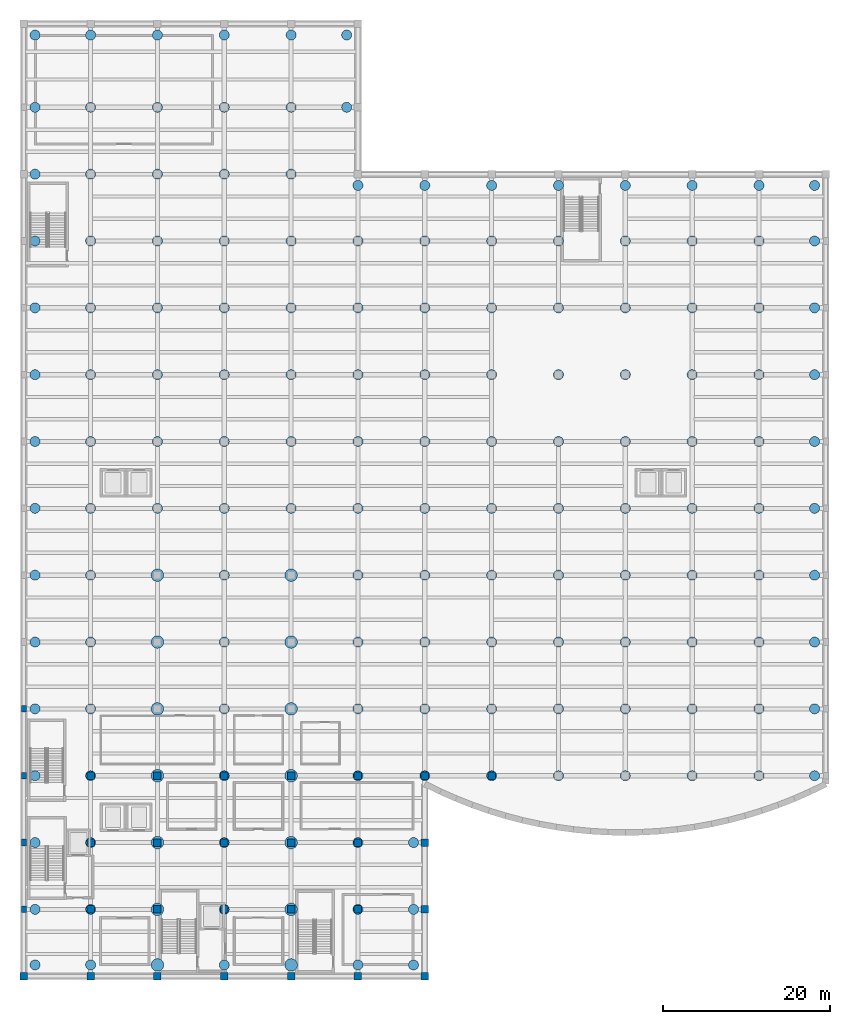
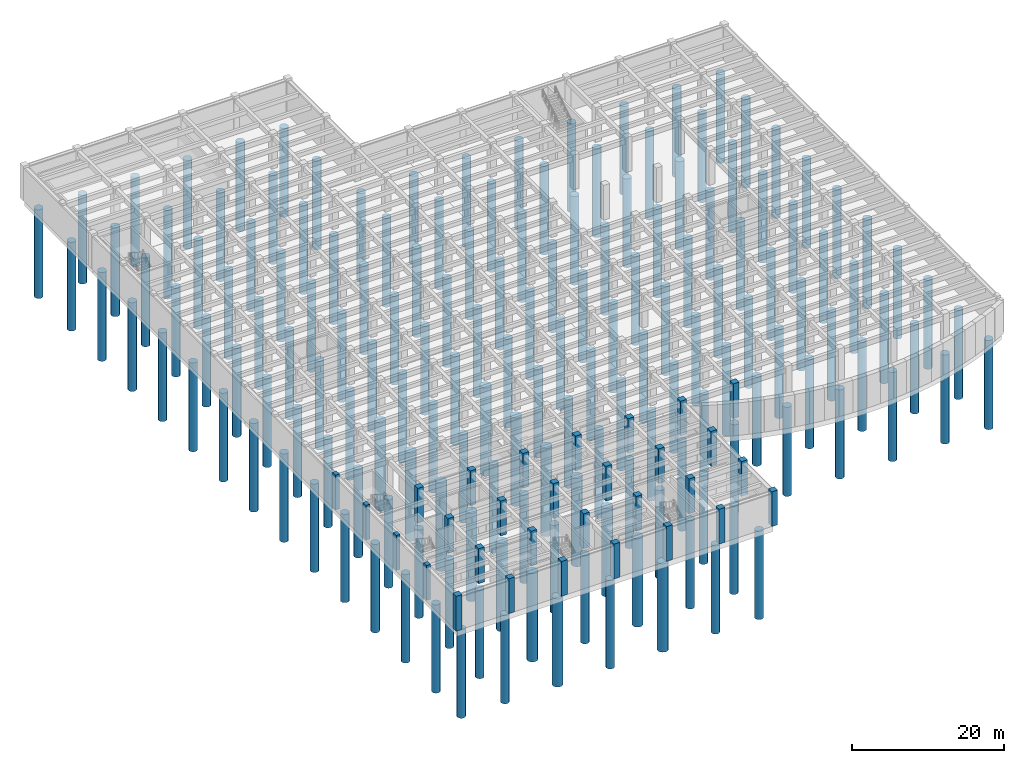
# One storey, part 1 of 18: 163 piles, 30 columns.
"""IFC4 building model written with IfcOpenShell, lengths in metres."""

from ifc_helpers import new_model, si_unit, direction, frame, origin, origin_2d, place, context, subcontext, project, spatial, rectangle, circle, extrude, material, material_profile, profile_set, type_object, element, save


model = new_model("IFC4")

# Units and contexts
model_context = context("Model", 3, precision=1e-05, world=origin(), true_north=direction((0.0, 1.0)))
body_context = subcontext(model_context, "Body", "Model", "MODEL_VIEW")
ifc_project = project(units=[si_unit("LENGTHUNIT", "METRE"), si_unit("AREAUNIT", "SQUARE_METRE"), si_unit("VOLUMEUNIT", "CUBIC_METRE"), si_unit("PLANEANGLEUNIT", "RADIAN"), si_unit("MASSUNIT", "GRAM", prefix="KILO")], contexts=[model_context])

# Site, building, storey
site_placement = place(None, origin())
site = spatial("IfcSite", under=ifc_project, at=site_placement, CompositionType="ELEMENT")
building_placement = place(site_placement, origin())
building = spatial("IfcBuilding", under=site, at=building_placement, Name="Drelvath Fold Interchange", CompositionType="ELEMENT")
storey_placement = place(building_placement, frame((0.0, 0.0, -11.199951171875)))
storey = spatial("IfcBuildingStorey", under=building, at=storey_placement, Name="B2", CompositionType="ELEMENT", Elevation=-11.199951171875)

# Piles
ifc_material = material(Name="Concrete f'c 55 MPa (8000 psi)", Category="concrete")
ifc_material_profile_1 = material_profile(ifc_material, circle(Radius=0.60009765625, at=origin_2d()), Name="CAISSON D1200")
ifc_profile_set_1 = profile_set([ifc_material_profile_1], Name="Concrete f'c 55 MPa (8000 psi)")
pile_type_1 = type_object("IfcPileType", Name="CA-D1200", PredefinedType="BORED", material=ifc_profile_set_1)
for number, where, z_axis, x_axis, name in (
    (1, (5.35009765625, 4.35009765625, -1.10009765625), (0.0, 0.0, -1.0), (1.0, 0.0, 0.0), "B2 rock-socketed caisson PL-B2-001"),
    (2, (5.35009765625, 11.0, -1.10009765625), (0.0, 0.0, -1.0), (1.0, 0.0, 0.0), "B2 rock-socketed caisson PL-B2-002"),
    (3, (5.35009765625, 19.0, -1.10009765625), (0.0, 0.0, -1.0), (1.0, 0.0, 0.0), "B2 rock-socketed caisson PL-B2-003"),
    (4, (5.35009765625, 27.0, -1.10009765625), (0.0, 0.0, -1.0), (1.0, 0.0, 0.0), "B2 rock-socketed caisson PL-B2-004"),
    (5, (5.35009765625, 35.0, -1.10009765625), (0.0, 0.0, -1.0), (1.0, 0.0, 0.0), "B2 rock-socketed caisson PL-B2-005"),
    (6, (5.35009765625, 43.0, -1.10009765625), (0.0, 0.0, -1.0), (1.0, 0.0, 0.0), "B2 rock-socketed caisson PL-B2-006"),
    (7, (5.35009765625, 51.0, -1.10009765625), (0.0, 0.0, -1.0), (1.0, 0.0, 0.0), "B2 rock-socketed caisson PL-B2-007"),
):
    element("IfcPile", number, at=place(storey_placement, frame(where, z_axis=z_axis, x_axis=x_axis)), inside=storey, type_object=pile_type_1, Name=name, PredefinedType="BORED", context=body_context, shape_type="SweptSolid", body=[
        extrude(circle(Radius=0.60009765625, at=origin_2d()), origin(), (0.0, 0.0, 1.0), 14.199951171875),
    ])
for number, where, z_axis, x_axis, name in (
    (8, (5.35009765625, 59.0, -1.0400390625), (0.0, 0.0, -1.0), (1.0, 0.0, 0.0), "B2 rock-socketed caisson PL-B2-008"),
    (9, (5.35009765625, 67.0, -1.0400390625), (0.0, 0.0, -1.0), (1.0, 0.0, 0.0), "B2 rock-socketed caisson PL-B2-009"),
    (10, (5.35009765625, 75.0, -1.0400390625), (0.0, 0.0, -1.0), (1.0, 0.0, 0.0), "B2 rock-socketed caisson PL-B2-010"),
    (11, (5.35009765625, 83.0, -1.0400390625), (0.0, 0.0, -1.0), (1.0, 0.0, 0.0), "B2 rock-socketed caisson PL-B2-011"),
    (12, (5.35009765625, 91.0, -1.0400390625), (0.0, 0.0, -1.0), (1.0, 0.0, 0.0), "B2 rock-socketed caisson PL-B2-012"),
    (13, (5.35009765625, 99.0, -1.0400390625), (0.0, 0.0, -1.0), (1.0, 0.0, 0.0), "B2 rock-socketed caisson PL-B2-013"),
    (14, (5.35009765625, 107.0, -1.0400390625), (0.0, 0.0, -1.0), (1.0, 0.0, 0.0), "B2 rock-socketed caisson PL-B2-014"),
    (15, (5.35009765625, 115.64990234375, -1.0400390625), (0.0, 0.0, -1.0), (1.0, 0.0, 0.0), "B2 rock-socketed caisson PL-B2-015"),
):
    element("IfcPile", number, at=place(storey_placement, frame(where, z_axis=z_axis, x_axis=x_axis)), inside=storey, type_object=pile_type_1, Name=name, PredefinedType="BORED", context=body_context, shape_type="SweptSolid", body=[
        extrude(circle(Radius=0.60009765625, at=origin_2d()), origin(), (0.0, 0.0, 1.0), 14.260009765625),
    ])
for number, where, z_axis, x_axis, name in (
    (16, (12.0, 4.35009765625, -1.10009765625), (0.0, 0.0, -1.0), (1.0, 0.0, 0.0), "B2 rock-socketed caisson PL-B2-016"),
    (17, (12.0, 11.0, -1.10009765625), (0.0, 0.0, -1.0), (1.0, 0.0, 0.0), "B2 rock-socketed caisson PL-B2-017"),
    (18, (12.0, 19.0, -1.10009765625), (0.0, 0.0, -1.0), (1.0, 0.0, 0.0), "B2 rock-socketed caisson PL-B2-018"),
    (19, (12.0, 27.0, -1.10009765625), (0.0, 0.0, -1.0), (1.0, 0.0, 0.0), "B2 rock-socketed caisson PL-B2-019"),
    (20, (12.0, 35.0, -1.10009765625), (0.0, 0.0, -1.0), (1.0, 0.0, 0.0), "B2 rock-socketed caisson PL-B2-020"),
    (21, (12.0, 43.0, -1.10009765625), (0.0, 0.0, -1.0), (1.0, 0.0, 0.0), "B2 rock-socketed caisson PL-B2-021"),
    (22, (12.0, 51.0, -1.10009765625), (0.0, 0.0, -1.0), (1.0, 0.0, 0.0), "B2 rock-socketed caisson PL-B2-022"),
):
    element("IfcPile", number, at=place(storey_placement, frame(where, z_axis=z_axis, x_axis=x_axis)), inside=storey, type_object=pile_type_1, Name=name, PredefinedType="BORED", context=body_context, shape_type="SweptSolid", body=[
        extrude(circle(Radius=0.60009765625, at=origin_2d()), origin(), (0.0, 0.0, 1.0), 14.199951171875),
    ])
for number, where, z_axis, x_axis, name in (
    (23, (12.0, 59.0, -1.0400390625), (0.0, 0.0, -1.0), (1.0, 0.0, 0.0), "B2 rock-socketed caisson PL-B2-023"),
    (24, (12.0, 67.0, -1.0400390625), (0.0, 0.0, -1.0), (1.0, 0.0, 0.0), "B2 rock-socketed caisson PL-B2-024"),
    (25, (12.0, 75.0, -1.0400390625), (0.0, 0.0, -1.0), (1.0, 0.0, 0.0), "B2 rock-socketed caisson PL-B2-025"),
    (26, (12.0, 83.0, -1.0400390625), (0.0, 0.0, -1.0), (1.0, 0.0, 0.0), "B2 rock-socketed caisson PL-B2-026"),
    (27, (12.0, 91.0, -1.0400390625), (0.0, 0.0, -1.0), (1.0, 0.0, 0.0), "B2 rock-socketed caisson PL-B2-027"),
    (28, (12.0, 99.0, -1.0400390625), (0.0, 0.0, -1.0), (1.0, 0.0, 0.0), "B2 rock-socketed caisson PL-B2-028"),
    (29, (12.0, 107.0, -1.0400390625), (0.0, 0.0, -1.0), (1.0, 0.0, 0.0), "B2 rock-socketed caisson PL-B2-029"),
    (30, (12.0, 115.64990234375, -1.0400390625), (0.0, 0.0, -1.0), (1.0, 0.0, 0.0), "B2 rock-socketed caisson PL-B2-030"),
    (31, (20.0, 59.0, -1.0400390625), (0.0, 0.0, -1.0), (1.0, 0.0, 0.0), "B2 rock-socketed caisson PL-B2-038"),
    (32, (20.0, 67.0, -1.0400390625), (0.0, 0.0, -1.0), (1.0, 0.0, 0.0), "B2 rock-socketed caisson PL-B2-039"),
    (33, (20.0, 75.0, -1.0400390625), (0.0, 0.0, -1.0), (1.0, 0.0, 0.0), "B2 rock-socketed caisson PL-B2-040"),
    (34, (20.0, 83.0, -1.0400390625), (0.0, 0.0, -1.0), (1.0, 0.0, 0.0), "B2 rock-socketed caisson PL-B2-041"),
    (35, (20.0, 91.0, -1.0400390625), (0.0, 0.0, -1.0), (1.0, 0.0, 0.0), "B2 rock-socketed caisson PL-B2-042"),
    (36, (20.0, 99.0, -1.0400390625), (0.0, 0.0, -1.0), (1.0, 0.0, 0.0), "B2 rock-socketed caisson PL-B2-043"),
    (37, (20.0, 107.0, -1.0400390625), (0.0, 0.0, -1.0), (1.0, 0.0, 0.0), "B2 rock-socketed caisson PL-B2-044"),
    (38, (20.0, 115.64990234375, -1.0400390625), (0.0, 0.0, -1.0), (1.0, 0.0, 0.0), "B2 rock-socketed caisson PL-B2-045"),
):
    element("IfcPile", number, at=place(storey_placement, frame(where, z_axis=z_axis, x_axis=x_axis)), inside=storey, type_object=pile_type_1, Name=name, PredefinedType="BORED", context=body_context, shape_type="SweptSolid", body=[
        extrude(circle(Radius=0.60009765625, at=origin_2d()), origin(), (0.0, 0.0, 1.0), 14.260009765625),
    ])
for number, where, z_axis, x_axis, name in (
    (39, (28.0, 4.35009765625, -1.10009765625), (0.0, 0.0, -1.0), (1.0, 0.0, 0.0), "B2 rock-socketed caisson PL-B2-046"),
    (40, (28.0, 11.0, -1.10009765625), (0.0, 0.0, -1.0), (1.0, 0.0, 0.0), "B2 rock-socketed caisson PL-B2-047"),
    (41, (28.0, 19.0, -1.10009765625), (0.0, 0.0, -1.0), (1.0, 0.0, 0.0), "B2 rock-socketed caisson PL-B2-048"),
    (42, (28.0, 27.0, -1.10009765625), (0.0, 0.0, -1.0), (1.0, 0.0, 0.0), "B2 rock-socketed caisson PL-B2-049"),
    (43, (28.0, 35.0, -1.10009765625), (0.0, 0.0, -1.0), (1.0, 0.0, 0.0), "B2 rock-socketed caisson PL-B2-050"),
    (44, (28.0, 43.0, -1.10009765625), (0.0, 0.0, -1.0), (1.0, 0.0, 0.0), "B2 rock-socketed caisson PL-B2-051"),
    (45, (28.0, 51.0, -1.10009765625), (0.0, 0.0, -1.0), (1.0, 0.0, 0.0), "B2 rock-socketed caisson PL-B2-052"),
):
    element("IfcPile", number, at=place(storey_placement, frame(where, z_axis=z_axis, x_axis=x_axis)), inside=storey, type_object=pile_type_1, Name=name, PredefinedType="BORED", context=body_context, shape_type="SweptSolid", body=[
        extrude(circle(Radius=0.60009765625, at=origin_2d()), origin(), (0.0, 0.0, 1.0), 14.199951171875),
    ])
for number, where, z_axis, x_axis, name in (
    (46, (28.0, 59.0, -1.0400390625), (0.0, 0.0, -1.0), (1.0, 0.0, 0.0), "B2 rock-socketed caisson PL-B2-053"),
    (47, (28.0, 67.0, -1.0400390625), (0.0, 0.0, -1.0), (1.0, 0.0, 0.0), "B2 rock-socketed caisson PL-B2-054"),
    (48, (28.0, 75.0, -1.0400390625), (0.0, 0.0, -1.0), (1.0, 0.0, 0.0), "B2 rock-socketed caisson PL-B2-055"),
    (49, (28.0, 83.0, -1.0400390625), (0.0, 0.0, -1.0), (1.0, 0.0, 0.0), "B2 rock-socketed caisson PL-B2-056"),
    (50, (28.0, 91.0, -1.0400390625), (0.0, 0.0, -1.0), (1.0, 0.0, 0.0), "B2 rock-socketed caisson PL-B2-057"),
    (51, (28.0, 99.0, -1.0400390625), (0.0, 0.0, -1.0), (1.0, 0.0, 0.0), "B2 rock-socketed caisson PL-B2-058"),
    (52, (28.0, 107.0, -1.0400390625), (0.0, 0.0, -1.0), (1.0, 0.0, 0.0), "B2 rock-socketed caisson PL-B2-059"),
    (53, (28.0, 115.64990234375, -1.0400390625), (0.0, 0.0, -1.0), (1.0, 0.0, 0.0), "B2 rock-socketed caisson PL-B2-060"),
    (54, (36.0, 59.0, -1.0400390625), (0.0, 0.0, -1.0), (1.0, 0.0, 0.0), "B2 rock-socketed caisson PL-B2-068"),
    (55, (36.0, 67.0, -1.0400390625), (0.0, 0.0, -1.0), (1.0, 0.0, 0.0), "B2 rock-socketed caisson PL-B2-069"),
    (56, (36.0, 75.0, -1.0400390625), (0.0, 0.0, -1.0), (1.0, 0.0, 0.0), "B2 rock-socketed caisson PL-B2-070"),
    (57, (36.0, 83.0, -1.0400390625), (0.0, 0.0, -1.0), (1.0, 0.0, 0.0), "B2 rock-socketed caisson PL-B2-071"),
    (58, (36.0, 91.0, -1.0400390625), (0.0, 0.0, -1.0), (1.0, 0.0, 0.0), "B2 rock-socketed caisson PL-B2-072"),
    (59, (36.0, 99.0, -1.0400390625), (0.0, 0.0, -1.0), (1.0, 0.0, 0.0), "B2 rock-socketed caisson PL-B2-073"),
    (60, (36.0, 107.0, -1.0400390625), (0.0, 0.0, -1.0), (1.0, 0.0, 0.0), "B2 rock-socketed caisson PL-B2-074"),
    (61, (36.0, 115.64990234375, -1.0400390625), (0.0, 0.0, -1.0), (1.0, 0.0, 0.0), "B2 rock-socketed caisson PL-B2-075"),
):
    element("IfcPile", number, at=place(storey_placement, frame(where, z_axis=z_axis, x_axis=x_axis)), inside=storey, type_object=pile_type_1, Name=name, PredefinedType="BORED", context=body_context, shape_type="SweptSolid", body=[
        extrude(circle(Radius=0.60009765625, at=origin_2d()), origin(), (0.0, 0.0, 1.0), 14.260009765625),
    ])
for number, where, z_axis, x_axis, name in (
    (62, (44.0, 4.35009765625, -1.10009765625), (0.0, 0.0, -1.0), (1.0, 0.0, 0.0), "B2 rock-socketed caisson PL-B2-076"),
    (63, (44.0, 11.0, -1.10009765625), (0.0, 0.0, -1.0), (1.0, 0.0, 0.0), "B2 rock-socketed caisson PL-B2-077"),
    (64, (44.0, 19.0, -1.10009765625), (0.0, 0.0, -1.0), (1.0, 0.0, 0.0), "B2 rock-socketed caisson PL-B2-078"),
    (65, (44.0, 27.0, -1.10009765625), (0.0, 0.0, -1.0), (1.0, 0.0, 0.0), "B2 rock-socketed caisson PL-B2-079"),
    (66, (44.0, 35.0, -1.10009765625), (0.0, 0.0, -1.0), (1.0, 0.0, 0.0), "B2 rock-socketed caisson PL-B2-080"),
    (67, (44.0, 43.0, -1.10009765625), (0.0, 0.0, -1.0), (1.0, 0.0, 0.0), "B2 rock-socketed caisson PL-B2-081"),
    (68, (44.0, 51.0, -1.10009765625), (0.0, 0.0, -1.0), (1.0, 0.0, 0.0), "B2 rock-socketed caisson PL-B2-082"),
):
    element("IfcPile", number, at=place(storey_placement, frame(where, z_axis=z_axis, x_axis=x_axis)), inside=storey, type_object=pile_type_1, Name=name, PredefinedType="BORED", context=body_context, shape_type="SweptSolid", body=[
        extrude(circle(Radius=0.60009765625, at=origin_2d()), origin(), (0.0, 0.0, 1.0), 14.199951171875),
    ])
for number, where, z_axis, x_axis, name in (
    (69, (44.0, 59.0, -1.0400390625), (0.0, 0.0, -1.0), (1.0, 0.0, 0.0), "B2 rock-socketed caisson PL-B2-083"),
    (70, (44.0, 67.0, -1.0400390625), (0.0, 0.0, -1.0), (1.0, 0.0, 0.0), "B2 rock-socketed caisson PL-B2-084"),
    (71, (44.0, 75.0, -1.0400390625), (0.0, 0.0, -1.0), (1.0, 0.0, 0.0), "B2 rock-socketed caisson PL-B2-085"),
    (72, (44.0, 83.0, -1.0400390625), (0.0, 0.0, -1.0), (1.0, 0.0, 0.0), "B2 rock-socketed caisson PL-B2-086"),
    (73, (44.0, 91.0, -1.0400390625), (0.0, 0.0, -1.0), (1.0, 0.0, 0.0), "B2 rock-socketed caisson PL-B2-087"),
    (74, (44.0, 97.64990234375, -1.0400390625), (0.0, 0.0, -1.0), (1.0, 0.0, 0.0), "B2 rock-socketed caisson PL-B2-088"),
    (75, (42.64990234375, 107.0, -1.0400390625), (0.0, 0.0, -1.0), (1.0, 0.0, 0.0), "B2 rock-socketed caisson PL-B2-089"),
    (76, (42.64990234375, 115.64990234375, -1.0400390625), (0.0, 0.0, -1.0), (1.0, 0.0, 0.0), "B2 rock-socketed caisson PL-B2-090"),
):
    element("IfcPile", number, at=place(storey_placement, frame(where, z_axis=z_axis, x_axis=x_axis)), inside=storey, type_object=pile_type_1, Name=name, PredefinedType="BORED", context=body_context, shape_type="SweptSolid", body=[
        extrude(circle(Radius=0.60009765625, at=origin_2d()), origin(), (0.0, 0.0, 1.0), 14.260009765625),
    ])
for number, where, z_axis, x_axis, name in (
    (77, (50.64990234375, 4.35009765625, -1.10009765625), (0.0, 0.0, -1.0), (1.0, 0.0, 0.0), "B2 rock-socketed caisson PL-B2-091"),
    (78, (50.64990234375, 11.0, -1.10009765625), (0.0, 0.0, -1.0), (1.0, 0.0, 0.0), "B2 rock-socketed caisson PL-B2-092"),
    (79, (50.64990234375, 19.0, -1.10009765625), (0.0, 0.0, -1.0), (1.0, 0.0, 0.0), "B2 rock-socketed caisson PL-B2-093"),
):
    element("IfcPile", number, at=place(storey_placement, frame(where, z_axis=z_axis, x_axis=x_axis)), inside=storey, type_object=pile_type_1, Name=name, PredefinedType="BORED", context=body_context, shape_type="SweptSolid", body=[
        extrude(circle(Radius=0.60009765625, at=origin_2d()), origin(), (0.0, 0.0, 1.0), 14.199951171875),
    ])
for number, where, z_axis, x_axis, name in (
    (80, (52.0, 27.0, -0.97998046875), (0.0, 0.0, -1.0), (1.0, 0.0, 0.0), "B2 rock-socketed caisson PL-B2-094"),
    (81, (52.0, 35.0, -0.97998046875), (0.0, 0.0, -1.0), (1.0, 0.0, 0.0), "B2 rock-socketed caisson PL-B2-095"),
    (82, (52.0, 43.0, -0.97998046875), (0.0, 0.0, -1.0), (1.0, 0.0, 0.0), "B2 rock-socketed caisson PL-B2-096"),
    (83, (52.0, 51.0, -0.97998046875), (0.0, 0.0, -1.0), (1.0, 0.0, 0.0), "B2 rock-socketed caisson PL-B2-097"),
    (84, (52.0, 59.0, -0.97998046875), (0.0, 0.0, -1.0), (1.0, 0.0, 0.0), "B2 rock-socketed caisson PL-B2-098"),
):
    element("IfcPile", number, at=place(storey_placement, frame(where, z_axis=z_axis, x_axis=x_axis)), inside=storey, type_object=pile_type_1, Name=name, PredefinedType="BORED", context=body_context, shape_type="SweptSolid", body=[
        extrude(circle(Radius=0.60009765625, at=origin_2d()), origin(), (0.0, 0.0, 1.0), 14.320068359375),
    ])
for number, where, z_axis, x_axis, name in (
    (85, (52.0, 67.0, -1.0400390625), (0.0, 0.0, -1.0), (1.0, 0.0, 0.0), "B2 rock-socketed caisson PL-B2-099"),
    (86, (52.0, 75.0, -1.0400390625), (0.0, 0.0, -1.0), (1.0, 0.0, 0.0), "B2 rock-socketed caisson PL-B2-100"),
    (87, (52.0, 83.0, -1.0400390625), (0.0, 0.0, -1.0), (1.0, 0.0, 0.0), "B2 rock-socketed caisson PL-B2-101"),
    (88, (52.0, 91.0, -1.0400390625), (0.0, 0.0, -1.0), (1.0, 0.0, 0.0), "B2 rock-socketed caisson PL-B2-102"),
    (89, (52.0, 97.64990234375, -1.0400390625), (0.0, 0.0, -1.0), (1.0, 0.0, 0.0), "B2 rock-socketed caisson PL-B2-103"),
):
    element("IfcPile", number, at=place(storey_placement, frame(where, z_axis=z_axis, x_axis=x_axis)), inside=storey, type_object=pile_type_1, Name=name, PredefinedType="BORED", context=body_context, shape_type="SweptSolid", body=[
        extrude(circle(Radius=0.60009765625, at=origin_2d()), origin(), (0.0, 0.0, 1.0), 14.260009765625),
    ])
for number, where, z_axis, x_axis, name in (
    (90, (60.0, 27.0, -0.97998046875), (0.0, 0.0, -1.0), (1.0, 0.0, 0.0), "B2 rock-socketed caisson PL-B2-104"),
    (91, (60.0, 35.0, -0.97998046875), (0.0, 0.0, -1.0), (1.0, 0.0, 0.0), "B2 rock-socketed caisson PL-B2-105"),
    (92, (60.0, 43.0, -0.97998046875), (0.0, 0.0, -1.0), (1.0, 0.0, 0.0), "B2 rock-socketed caisson PL-B2-106"),
    (93, (60.0, 51.0, -0.97998046875), (0.0, 0.0, -1.0), (1.0, 0.0, 0.0), "B2 rock-socketed caisson PL-B2-107"),
    (94, (60.0, 59.0, -0.97998046875), (0.0, 0.0, -1.0), (1.0, 0.0, 0.0), "B2 rock-socketed caisson PL-B2-108"),
):
    element("IfcPile", number, at=place(storey_placement, frame(where, z_axis=z_axis, x_axis=x_axis)), inside=storey, type_object=pile_type_1, Name=name, PredefinedType="BORED", context=body_context, shape_type="SweptSolid", body=[
        extrude(circle(Radius=0.60009765625, at=origin_2d()), origin(), (0.0, 0.0, 1.0), 14.320068359375),
    ])
for number, where, z_axis, x_axis, name in (
    (95, (60.0, 67.0, -1.0400390625), (0.0, 0.0, -1.0), (1.0, 0.0, 0.0), "B2 rock-socketed caisson PL-B2-109"),
    (96, (60.0, 75.0, -1.0400390625), (0.0, 0.0, -1.0), (1.0, 0.0, 0.0), "B2 rock-socketed caisson PL-B2-110"),
    (97, (60.0, 83.0, -1.0400390625), (0.0, 0.0, -1.0), (1.0, 0.0, 0.0), "B2 rock-socketed caisson PL-B2-111"),
    (98, (60.0, 91.0, -1.0400390625), (0.0, 0.0, -1.0), (1.0, 0.0, 0.0), "B2 rock-socketed caisson PL-B2-112"),
    (99, (60.0, 97.64990234375, -1.0400390625), (0.0, 0.0, -1.0), (1.0, 0.0, 0.0), "B2 rock-socketed caisson PL-B2-113"),
):
    element("IfcPile", number, at=place(storey_placement, frame(where, z_axis=z_axis, x_axis=x_axis)), inside=storey, type_object=pile_type_1, Name=name, PredefinedType="BORED", context=body_context, shape_type="SweptSolid", body=[
        extrude(circle(Radius=0.60009765625, at=origin_2d()), origin(), (0.0, 0.0, 1.0), 14.260009765625),
    ])
for number, where, z_axis, x_axis, name in (
    (100, (68.0, 27.0, -0.97998046875), (0.0, 0.0, -1.0), (1.0, 0.0, 0.0), "B2 rock-socketed caisson PL-B2-114"),
    (101, (68.0, 35.0, -0.97998046875), (0.0, 0.0, -1.0), (1.0, 0.0, 0.0), "B2 rock-socketed caisson PL-B2-115"),
    (102, (68.0, 43.0, -0.97998046875), (0.0, 0.0, -1.0), (1.0, 0.0, 0.0), "B2 rock-socketed caisson PL-B2-116"),
    (103, (68.0, 51.0, -0.97998046875), (0.0, 0.0, -1.0), (1.0, 0.0, 0.0), "B2 rock-socketed caisson PL-B2-117"),
    (104, (68.0, 59.0, -0.97998046875), (0.0, 0.0, -1.0), (1.0, 0.0, 0.0), "B2 rock-socketed caisson PL-B2-118"),
):
    element("IfcPile", number, at=place(storey_placement, frame(where, z_axis=z_axis, x_axis=x_axis)), inside=storey, type_object=pile_type_1, Name=name, PredefinedType="BORED", context=body_context, shape_type="SweptSolid", body=[
        extrude(circle(Radius=0.60009765625, at=origin_2d()), origin(), (0.0, 0.0, 1.0), 14.320068359375),
    ])
for number, where, z_axis, x_axis, name in (
    (105, (68.0, 67.0, -1.0400390625), (0.0, 0.0, -1.0), (1.0, 0.0, 0.0), "B2 rock-socketed caisson PL-B2-119"),
    (106, (68.0, 75.0, -1.0400390625), (0.0, 0.0, -1.0), (1.0, 0.0, 0.0), "B2 rock-socketed caisson PL-B2-120"),
    (107, (68.0, 83.0, -1.0400390625), (0.0, 0.0, -1.0), (1.0, 0.0, 0.0), "B2 rock-socketed caisson PL-B2-121"),
    (108, (68.0, 91.0, -1.0400390625), (0.0, 0.0, -1.0), (1.0, 0.0, 0.0), "B2 rock-socketed caisson PL-B2-122"),
    (109, (68.0, 97.64990234375, -1.0400390625), (0.0, 0.0, -1.0), (1.0, 0.0, 0.0), "B2 rock-socketed caisson PL-B2-123"),
):
    element("IfcPile", number, at=place(storey_placement, frame(where, z_axis=z_axis, x_axis=x_axis)), inside=storey, type_object=pile_type_1, Name=name, PredefinedType="BORED", context=body_context, shape_type="SweptSolid", body=[
        extrude(circle(Radius=0.60009765625, at=origin_2d()), origin(), (0.0, 0.0, 1.0), 14.260009765625),
    ])
for number, where, z_axis, x_axis, name in (
    (110, (76.0, 27.0, -0.97998046875), (0.0, 0.0, -1.0), (1.0, 0.0, 0.0), "B2 rock-socketed caisson PL-B2-124"),
    (111, (76.0, 35.0, -0.97998046875), (0.0, 0.0, -1.0), (1.0, 0.0, 0.0), "B2 rock-socketed caisson PL-B2-125"),
    (112, (76.0, 43.0, -0.97998046875), (0.0, 0.0, -1.0), (1.0, 0.0, 0.0), "B2 rock-socketed caisson PL-B2-126"),
    (113, (76.0, 51.0, -0.97998046875), (0.0, 0.0, -1.0), (1.0, 0.0, 0.0), "B2 rock-socketed caisson PL-B2-127"),
    (114, (76.0, 59.0, -0.97998046875), (0.0, 0.0, -1.0), (1.0, 0.0, 0.0), "B2 rock-socketed caisson PL-B2-128"),
):
    element("IfcPile", number, at=place(storey_placement, frame(where, z_axis=z_axis, x_axis=x_axis)), inside=storey, type_object=pile_type_1, Name=name, PredefinedType="BORED", context=body_context, shape_type="SweptSolid", body=[
        extrude(circle(Radius=0.60009765625, at=origin_2d()), origin(), (0.0, 0.0, 1.0), 14.320068359375),
    ])
for number, where, z_axis, x_axis, name in (
    (115, (76.0, 67.0, -1.0400390625), (0.0, 0.0, -1.0), (1.0, 0.0, 0.0), "B2 rock-socketed caisson PL-B2-129"),
    (116, (76.0, 75.0, -1.0400390625), (0.0, 0.0, -1.0), (1.0, 0.0, 0.0), "B2 rock-socketed caisson PL-B2-130"),
    (117, (76.0, 83.0, -1.0400390625), (0.0, 0.0, -1.0), (1.0, 0.0, 0.0), "B2 rock-socketed caisson PL-B2-131"),
    (118, (76.0, 91.0, -1.0400390625), (0.0, 0.0, -1.0), (1.0, 0.0, 0.0), "B2 rock-socketed caisson PL-B2-132"),
    (119, (76.0, 97.64990234375, -1.0400390625), (0.0, 0.0, -1.0), (1.0, 0.0, 0.0), "B2 rock-socketed caisson PL-B2-133"),
):
    element("IfcPile", number, at=place(storey_placement, frame(where, z_axis=z_axis, x_axis=x_axis)), inside=storey, type_object=pile_type_1, Name=name, PredefinedType="BORED", context=body_context, shape_type="SweptSolid", body=[
        extrude(circle(Radius=0.60009765625, at=origin_2d()), origin(), (0.0, 0.0, 1.0), 14.260009765625),
    ])
for number, where, z_axis, x_axis, name in (
    (120, (84.0, 27.0, -0.97998046875), (0.0, 0.0, -1.0), (1.0, 0.0, 0.0), "B2 rock-socketed caisson PL-B2-134"),
    (121, (84.0, 35.0, -0.97998046875), (0.0, 0.0, -1.0), (1.0, 0.0, 0.0), "B2 rock-socketed caisson PL-B2-135"),
    (122, (84.0, 43.0, -0.97998046875), (0.0, 0.0, -1.0), (1.0, 0.0, 0.0), "B2 rock-socketed caisson PL-B2-136"),
    (123, (84.0, 51.0, -0.97998046875), (0.0, 0.0, -1.0), (1.0, 0.0, 0.0), "B2 rock-socketed caisson PL-B2-137"),
    (124, (84.0, 59.0, -0.97998046875), (0.0, 0.0, -1.0), (1.0, 0.0, 0.0), "B2 rock-socketed caisson PL-B2-138"),
):
    element("IfcPile", number, at=place(storey_placement, frame(where, z_axis=z_axis, x_axis=x_axis)), inside=storey, type_object=pile_type_1, Name=name, PredefinedType="BORED", context=body_context, shape_type="SweptSolid", body=[
        extrude(circle(Radius=0.60009765625, at=origin_2d()), origin(), (0.0, 0.0, 1.0), 14.320068359375),
    ])
for number, where, z_axis, x_axis, name in (
    (125, (84.0, 67.0, -1.0400390625), (0.0, 0.0, -1.0), (1.0, 0.0, 0.0), "B2 rock-socketed caisson PL-B2-139"),
    (126, (84.0, 75.0, -1.0400390625), (0.0, 0.0, -1.0), (1.0, 0.0, 0.0), "B2 rock-socketed caisson PL-B2-140"),
    (127, (84.0, 83.0, -1.0400390625), (0.0, 0.0, -1.0), (1.0, 0.0, 0.0), "B2 rock-socketed caisson PL-B2-141"),
    (128, (84.0, 91.0, -1.0400390625), (0.0, 0.0, -1.0), (1.0, 0.0, 0.0), "B2 rock-socketed caisson PL-B2-142"),
    (129, (84.0, 97.64990234375, -1.0400390625), (0.0, 0.0, -1.0), (1.0, 0.0, 0.0), "B2 rock-socketed caisson PL-B2-143"),
):
    element("IfcPile", number, at=place(storey_placement, frame(where, z_axis=z_axis, x_axis=x_axis)), inside=storey, type_object=pile_type_1, Name=name, PredefinedType="BORED", context=body_context, shape_type="SweptSolid", body=[
        extrude(circle(Radius=0.60009765625, at=origin_2d()), origin(), (0.0, 0.0, 1.0), 14.260009765625),
    ])
for number, where, z_axis, x_axis, name in (
    (130, (92.0, 27.0, -0.97998046875), (0.0, 0.0, -1.0), (1.0, 0.0, 0.0), "B2 rock-socketed caisson PL-B2-144"),
    (131, (92.0, 35.0, -0.97998046875), (0.0, 0.0, -1.0), (1.0, 0.0, 0.0), "B2 rock-socketed caisson PL-B2-145"),
    (132, (92.0, 43.0, -0.97998046875), (0.0, 0.0, -1.0), (1.0, 0.0, 0.0), "B2 rock-socketed caisson PL-B2-146"),
    (133, (92.0, 51.0, -0.97998046875), (0.0, 0.0, -1.0), (1.0, 0.0, 0.0), "B2 rock-socketed caisson PL-B2-147"),
    (134, (92.0, 59.0, -0.97998046875), (0.0, 0.0, -1.0), (1.0, 0.0, 0.0), "B2 rock-socketed caisson PL-B2-148"),
):
    element("IfcPile", number, at=place(storey_placement, frame(where, z_axis=z_axis, x_axis=x_axis)), inside=storey, type_object=pile_type_1, Name=name, PredefinedType="BORED", context=body_context, shape_type="SweptSolid", body=[
        extrude(circle(Radius=0.60009765625, at=origin_2d()), origin(), (0.0, 0.0, 1.0), 14.320068359375),
    ])
for number, where, z_axis, x_axis, name in (
    (135, (92.0, 67.0, -1.0400390625), (0.0, 0.0, -1.0), (1.0, 0.0, 0.0), "B2 rock-socketed caisson PL-B2-149"),
    (136, (92.0, 75.0, -1.0400390625), (0.0, 0.0, -1.0), (1.0, 0.0, 0.0), "B2 rock-socketed caisson PL-B2-150"),
    (137, (92.0, 83.0, -1.0400390625), (0.0, 0.0, -1.0), (1.0, 0.0, 0.0), "B2 rock-socketed caisson PL-B2-151"),
    (138, (92.0, 91.0, -1.0400390625), (0.0, 0.0, -1.0), (1.0, 0.0, 0.0), "B2 rock-socketed caisson PL-B2-152"),
    (139, (92.0, 97.64990234375, -1.0400390625), (0.0, 0.0, -1.0), (1.0, 0.0, 0.0), "B2 rock-socketed caisson PL-B2-153"),
):
    element("IfcPile", number, at=place(storey_placement, frame(where, z_axis=z_axis, x_axis=x_axis)), inside=storey, type_object=pile_type_1, Name=name, PredefinedType="BORED", context=body_context, shape_type="SweptSolid", body=[
        extrude(circle(Radius=0.60009765625, at=origin_2d()), origin(), (0.0, 0.0, 1.0), 14.260009765625),
    ])
for number, where, z_axis, x_axis, name in (
    (140, (98.64990234375, 27.0, -0.97998046875), (0.0, 0.0, -1.0), (1.0, 0.0, 0.0), "B2 rock-socketed caisson PL-B2-154"),
    (141, (98.64990234375, 35.0, -0.97998046875), (0.0, 0.0, -1.0), (1.0, 0.0, 0.0), "B2 rock-socketed caisson PL-B2-155"),
    (142, (98.64990234375, 43.0, -0.97998046875), (0.0, 0.0, -1.0), (1.0, 0.0, 0.0), "B2 rock-socketed caisson PL-B2-156"),
    (143, (98.64990234375, 51.0, -0.97998046875), (0.0, 0.0, -1.0), (1.0, 0.0, 0.0), "B2 rock-socketed caisson PL-B2-157"),
    (144, (98.64990234375, 59.0, -0.97998046875), (0.0, 0.0, -1.0), (1.0, 0.0, 0.0), "B2 rock-socketed caisson PL-B2-158"),
):
    element("IfcPile", number, at=place(storey_placement, frame(where, z_axis=z_axis, x_axis=x_axis)), inside=storey, type_object=pile_type_1, Name=name, PredefinedType="BORED", context=body_context, shape_type="SweptSolid", body=[
        extrude(circle(Radius=0.60009765625, at=origin_2d()), origin(), (0.0, 0.0, 1.0), 14.320068359375),
    ])
for number, where, z_axis, x_axis, name in (
    (145, (98.64990234375, 67.0, -1.0400390625), (0.0, 0.0, -1.0), (1.0, 0.0, 0.0), "B2 rock-socketed caisson PL-B2-159"),
    (146, (98.64990234375, 75.0, -1.0400390625), (0.0, 0.0, -1.0), (1.0, 0.0, 0.0), "B2 rock-socketed caisson PL-B2-160"),
    (147, (98.64990234375, 83.0, -1.0400390625), (0.0, 0.0, -1.0), (1.0, 0.0, 0.0), "B2 rock-socketed caisson PL-B2-161"),
    (148, (98.64990234375, 91.0, -1.0400390625), (0.0, 0.0, -1.0), (1.0, 0.0, 0.0), "B2 rock-socketed caisson PL-B2-162"),
    (149, (98.64990234375, 97.64990234375, -1.0400390625), (0.0, 0.0, -1.0), (1.0, 0.0, 0.0), "B2 rock-socketed caisson PL-B2-163"),
):
    element("IfcPile", number, at=place(storey_placement, frame(where, z_axis=z_axis, x_axis=x_axis)), inside=storey, type_object=pile_type_1, Name=name, PredefinedType="BORED", context=body_context, shape_type="SweptSolid", body=[
        extrude(circle(Radius=0.60009765625, at=origin_2d()), origin(), (0.0, 0.0, 1.0), 14.260009765625),
    ])
ifc_material_profile_2 = material_profile(ifc_material, circle(Radius=0.75, at=origin_2d()), Name="CAISSON D1500")
ifc_profile_set_2 = profile_set([ifc_material_profile_2], Name="Concrete f'c 55 MPa (8000 psi)")
pile_type_2 = type_object("IfcPileType", Name="CA-D1500", PredefinedType="BORED", material=ifc_profile_set_2)
for number, where, z_axis, x_axis, name in (
    (150, (20.0, 4.35009765625, -1.10009765625), (0.0, 0.0, -1.0), (1.0, 0.0, 0.0), "B2 rock-socketed caisson PL-B2-031"),
    (151, (20.0, 11.0, -1.10009765625), (0.0, 0.0, -1.0), (1.0, 0.0, 0.0), "B2 rock-socketed caisson PL-B2-032"),
    (152, (20.0, 19.0, -1.10009765625), (0.0, 0.0, -1.0), (1.0, 0.0, 0.0), "B2 rock-socketed caisson PL-B2-033"),
    (153, (20.0, 27.0, -1.10009765625), (0.0, 0.0, -1.0), (1.0, 0.0, 0.0), "B2 rock-socketed caisson PL-B2-034"),
    (154, (20.0, 35.0, -1.10009765625), (0.0, 0.0, -1.0), (1.0, 0.0, 0.0), "B2 rock-socketed caisson PL-B2-035"),
    (155, (20.0, 43.0, -1.10009765625), (0.0, 0.0, -1.0), (1.0, 0.0, 0.0), "B2 rock-socketed caisson PL-B2-036"),
    (156, (20.0, 51.0, -1.10009765625), (0.0, 0.0, -1.0), (1.0, 0.0, 0.0), "B2 rock-socketed caisson PL-B2-037"),
    (157, (36.0, 4.35009765625, -1.10009765625), (0.0, 0.0, -1.0), (1.0, 0.0, 0.0), "B2 rock-socketed caisson PL-B2-061"),
    (158, (36.0, 11.0, -1.10009765625), (0.0, 0.0, -1.0), (1.0, 0.0, 0.0), "B2 rock-socketed caisson PL-B2-062"),
    (159, (36.0, 19.0, -1.10009765625), (0.0, 0.0, -1.0), (1.0, 0.0, 0.0), "B2 rock-socketed caisson PL-B2-063"),
    (160, (36.0, 27.0, -1.10009765625), (0.0, 0.0, -1.0), (1.0, 0.0, 0.0), "B2 rock-socketed caisson PL-B2-064"),
    (161, (36.0, 35.0, -1.10009765625), (0.0, 0.0, -1.0), (1.0, 0.0, 0.0), "B2 rock-socketed caisson PL-B2-065"),
    (162, (36.0, 43.0, -1.10009765625), (0.0, 0.0, -1.0), (1.0, 0.0, 0.0), "B2 rock-socketed caisson PL-B2-066"),
    (163, (36.0, 51.0, -1.10009765625), (0.0, 0.0, -1.0), (1.0, 0.0, 0.0), "B2 rock-socketed caisson PL-B2-067"),
):
    element("IfcPile", number, at=place(storey_placement, frame(where, z_axis=z_axis, x_axis=x_axis)), inside=storey, type_object=pile_type_2, Name=name, PredefinedType="BORED", context=body_context, shape_type="SweptSolid", body=[
        extrude(circle(Radius=0.75, at=origin_2d()), origin(), (0.0, 0.0, 1.0), 14.199951171875),
    ])

# Columns
ifc_material_profile_3 = material_profile(ifc_material, rectangle(XDim=0.60009765625, YDim=0.800048828125, at=origin_2d()), Name="RC 600x800")
ifc_profile_set_3 = profile_set([ifc_material_profile_3], Name="Concrete f'c 55 MPa (8000 psi)")
column_type_1 = type_object("IfcColumnType", Name="COL-RC600", PredefinedType="PILASTER", material=ifc_profile_set_3)
for number, where, z_axis, x_axis, name in (
    (164, (4.0, 11.0, 0.0), (0.0, 0.0, 1.0), (1.0, 0.0, 0.0), "B2 column (4,11)"),
    (165, (4.0, 19.0, 0.0), (0.0, 0.0, 1.0), (1.0, 0.0, 0.0), "B2 column (4,19)"),
    (166, (4.0, 27.0, 0.0), (0.0, 0.0, 1.0), (1.0, 0.0, 0.0), "B2 column (4,27)"),
    (167, (4.0, 35.0, 0.0), (0.0, 0.0, 1.0), (1.0, 0.0, 0.0), "B2 column (4,35)"),
):
    element("IfcColumn", number, at=place(storey_placement, frame(where, z_axis=z_axis, x_axis=x_axis)), inside=storey, type_object=column_type_1, Name=name, PredefinedType="PILASTER", context=body_context, shape_type="SweptSolid", body=[
        extrude(rectangle(XDim=0.60009765625, YDim=0.800048828125, at=origin_2d()), origin(), (0.0, 0.0, 1.0), 5.599853515625),
    ])
ifc_material_profile_4 = material_profile(ifc_material, rectangle(XDim=0.89990234375, YDim=0.89990234375, at=origin_2d()), Name="RC 900x900")
ifc_profile_set_4 = profile_set([ifc_material_profile_4], Name="Concrete f'c 55 MPa (8000 psi)")
column_type_2 = type_object("IfcColumnType", Name="COL-RC900", PredefinedType="COLUMN", material=ifc_profile_set_4)
for number, where, z_axis, x_axis, name in (
    (168, (4.0, 3.0, 0.0), (0.0, 0.0, 1.0), (1.0, 0.0, 0.0), "B2 column (4,3)"),
    (169, (12.0, 3.0, 0.0), (0.0, 0.0, 1.0), (1.0, 0.0, 0.0), "B2 column (12,3)"),
    (170, (12.0, 11.0, 0.0), (0.0, 0.0, 1.0), (1.0, 0.0, 0.0), "B2 column (12,11)"),
    (171, (12.0, 19.0, 0.0), (0.0, 0.0, 1.0), (1.0, 0.0, 0.0), "B2 column (12,19)"),
    (172, (12.0, 27.0, 0.0), (0.0, 0.0, 1.0), (1.0, 0.0, 0.0), "B2 column (12,27)"),
    (173, (20.0, 3.0, 0.0), (0.0, 0.0, 1.0), (1.0, 0.0, 0.0), "B2 column (20,3)"),
    (174, (20.0, 11.0, 0.0), (0.0, 0.0, 1.0), (1.0, 0.0, 0.0), "B2 column (20,11)"),
    (175, (20.0, 19.0, 0.0), (0.0, 0.0, 1.0), (1.0, 0.0, 0.0), "B2 column (20,19)"),
    (176, (20.0, 27.0, 0.0), (0.0, 0.0, 1.0), (1.0, 0.0, 0.0), "B2 column (20,27)"),
    (177, (28.0, 3.0, 0.0), (0.0, 0.0, 1.0), (1.0, 0.0, 0.0), "B2 column (28,3)"),
    (178, (28.0, 11.0, 0.0), (0.0, 0.0, 1.0), (1.0, 0.0, 0.0), "B2 column (28,11)"),
    (179, (28.0, 19.0, 0.0), (0.0, 0.0, 1.0), (1.0, 0.0, 0.0), "B2 column (28,19)"),
    (180, (28.0, 27.0, 0.0), (0.0, 0.0, 1.0), (1.0, 0.0, 0.0), "B2 column (28,27)"),
    (181, (36.0, 3.0, 0.0), (0.0, 0.0, 1.0), (1.0, 0.0, 0.0), "B2 column (36,3)"),
    (182, (36.0, 11.0, 0.0), (0.0, 0.0, 1.0), (1.0, 0.0, 0.0), "B2 column (36,11)"),
    (183, (36.0, 19.0, 0.0), (0.0, 0.0, 1.0), (1.0, 0.0, 0.0), "B2 column (36,19)"),
    (184, (36.0, 27.0, 0.0), (0.0, 0.0, 1.0), (1.0, 0.0, 0.0), "B2 column (36,27)"),
    (185, (44.0, 3.0, 0.0), (0.0, 0.0, 1.0), (1.0, 0.0, 0.0), "B2 column (44,3)"),
    (186, (44.0, 11.0, 0.0), (0.0, 0.0, 1.0), (1.0, 0.0, 0.0), "B2 column (44,11)"),
    (187, (44.0, 19.0, 0.0), (0.0, 0.0, 1.0), (1.0, 0.0, 0.0), "B2 column (44,19)"),
    (188, (44.0, 27.0, 0.0), (0.0, 0.0, 1.0), (1.0, 0.0, 0.0), "B2 column (44,27)"),
    (189, (52.0, 3.0, 0.0), (0.0, 0.0, 1.0), (1.0, 0.0, 0.0), "B2 column (52,3)"),
    (190, (52.0, 11.0, 0.0), (0.0, 0.0, 1.0), (1.0, 0.0, 0.0), "B2 column (52,11)"),
    (191, (52.0, 19.0, 0.0), (0.0, 0.0, 1.0), (1.0, 0.0, 0.0), "B2 column (52,19)"),
    (192, (52.0, 27.0, 0.0), (0.0, 0.0, 1.0), (1.0, 0.0, 0.0), "B2 column (52,27)"),
    (193, (60.0, 27.0, 0.0), (0.0, 0.0, 1.0), (1.0, 0.0, 0.0), "B2 column (60,27)"),
):
    element("IfcColumn", number, at=place(storey_placement, frame(where, z_axis=z_axis, x_axis=x_axis)), inside=storey, type_object=column_type_2, Name=name, PredefinedType="COLUMN", context=body_context, shape_type="SweptSolid", body=[
        extrude(rectangle(XDim=0.89990234375, YDim=0.89990234375, at=origin_2d()), origin(), (0.0, 0.0, 1.0), 5.599853515625),
    ])

save(model, "model.ifc")
